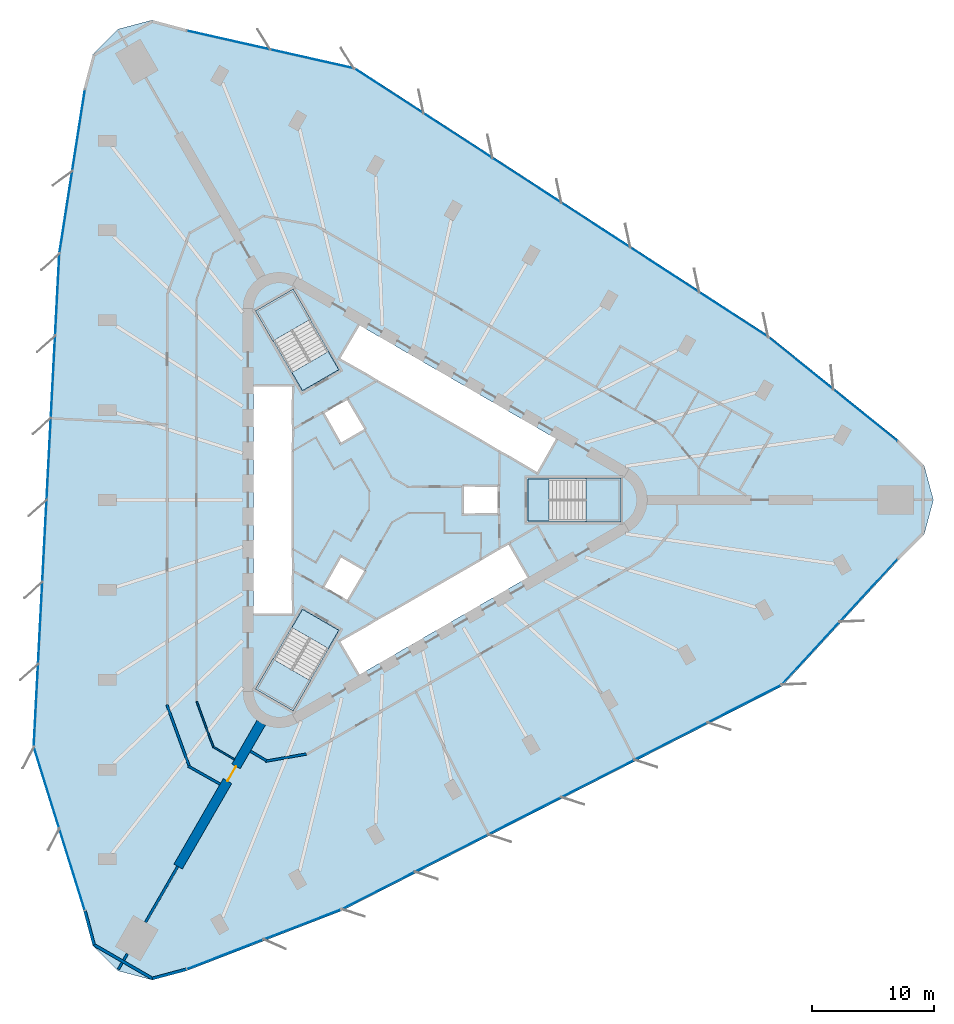
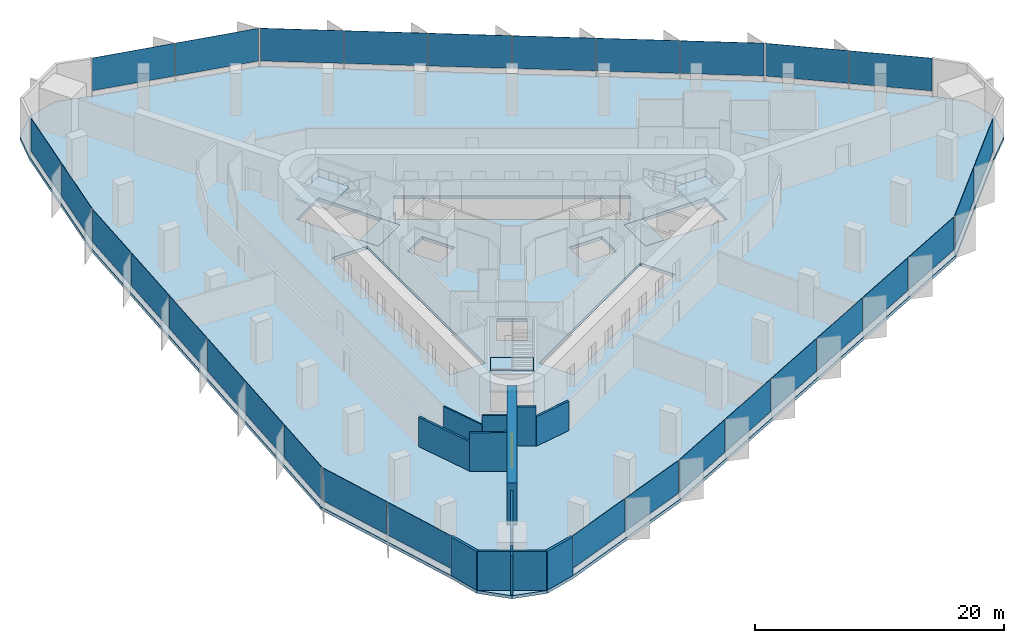
# One storey, part 8 of 14: 30 plates, 13 walls, 7 slabs, 1 door, 1 opening, 12 elements without a shape of their own.
"""IFC4 building model written with IfcOpenShell, lengths in metres."""

from ifc_helpers import new_model, si_unit, direction, frame, frame_2d, origin, origin_2d, place, context, subcontext, project, spatial, polyline, rectangle, outline, extrude, material, layer, layer_set, type_object, element, fill, aggregate, save


model = new_model("IFC4")

# Units and contexts
model_context = context("Model", 3, precision=1e-05, world=origin(), true_north=direction((0.0, 1.0)))
body_context = subcontext(model_context, "Body", "Model", "MODEL_VIEW")
ifc_project = project(units=[si_unit("LENGTHUNIT", "METRE"), si_unit("AREAUNIT", "SQUARE_METRE"), si_unit("VOLUMEUNIT", "CUBIC_METRE"), si_unit("PLANEANGLEUNIT", "RADIAN"), si_unit("MASSUNIT", "GRAM", prefix="KILO")], contexts=[model_context])

# Site, building, storey
site_placement = place(None, origin())
site = spatial("IfcSite", under=ifc_project, at=site_placement, CompositionType="ELEMENT")
building_placement = place(site_placement, origin())
building = spatial("IfcBuilding", under=site, at=building_placement, Name="Tanit Gate Tower", CompositionType="ELEMENT")
storey_placement = place(building_placement, frame((0.0, 0.0, 74.199951171875)))
storey = spatial("IfcBuildingStorey", under=building, at=storey_placement, Name="L14", CompositionType="ELEMENT", Elevation=74.199951171875)

# Slab
ifc_material_1 = material(Name="Concrete C35/45", Category="concrete")
ifc_layer_1 = layer(ifc_material_1, 0.300048828125)
ifc_layer_set_1 = layer_set([ifc_layer_1], Name="FLOOR SLAB 300 C35/45")
slab_type_1 = type_object("IfcSlabType", Name="FLOOR SLAB 300 C35/45", PredefinedType="FLOOR", material=ifc_layer_set_1)
slab_1_placement = place(storey_placement, frame((0.0, 0.0, -0.300048828125)))
element("IfcSlab", 1, at=slab_1_placement, inside=storey, type_object=slab_type_1, Name="FLOOR SLAB L14", PredefinedType="FLOOR", context=body_context, shape_type="SweptSolid", body=[
    extrude(outline(polyline([(41.88818359375, 4.897705078125), (43.958251953125, 2.82763671875), (44.716064453125, 0.0), (43.958251953125, -2.82763671875), (41.88818359375, -4.897705078125), (32.2783203125, -15.314697265625), (-3.930419921875, -33.78564453125), (-16.70263671875, -38.72509765625), (-19.5302734375, -39.48291015625), (-22.35791015625, -38.72509765625), (-24.427978515625, -36.6552734375), (-25.185791015625, -33.827392578125), (-29.40234375, -20.29638671875), (-27.294189453125, 20.29638671875), (-25.185791015625, 33.827392578125), (-24.427978515625, 36.6552734375), (-22.35791015625, 38.72509765625), (-19.5302734375, 39.48291015625), (-16.70263671875, 38.72509765625), (-2.876220703125, 35.611328125), (31.224365234375, 13.489013671875), (41.88818359375, 4.897705078125)]), holes=[polyline([(11.3701171875, 1.72998046875), (18.929931640625, 1.72998046875), (18.929931640625, -1.72998046875), (11.3701171875, -1.72998046875), (11.3701171875, 1.72998046875)]), polyline([(-4.208984375, 11.60986328125), (-2.583984375, 14.424560546875), (13.783935546875, 4.974609375), (12.158935546875, 2.159912109375), (-4.208984375, 11.60986328125)]), polyline([(-4.208984375, -11.60986328125), (9.82080078125, -3.510009765625), (11.44580078125, -6.324462890625), (-2.583984375, -14.424560546875), (-4.208984375, -11.60986328125)]), polyline([(9.0, 1.199951171875), (9.0, -1.199951171875), (6.0, -1.199951171875), (6.0, 1.199951171875), (9.0, 1.199951171875)]), polyline([(-5.539306640625, 7.194091796875), (-3.460693359375, 8.394287109375), (-1.960693359375, 5.796142578125), (-4.039306640625, 4.59619140625), (-5.539306640625, 7.194091796875)]), polyline([(-1.960693359375, -5.796142578125), (-3.460693359375, -8.394287109375), (-5.539306640625, -7.194091796875), (-4.039306640625, -4.59619140625), (-1.960693359375, -5.796142578125)]), polyline([(-10.963134765625, 15.52880859375), (-7.966796875, 17.2587890625), (-4.186767578125, 10.711669921875), (-7.18310546875, 8.981689453125), (-10.963134765625, 15.52880859375)]), polyline([(-4.186767578125, -10.711669921875), (-7.966796875, -17.2587890625), (-10.963134765625, -15.52880859375), (-7.18310546875, -8.981689453125), (-4.186767578125, -10.711669921875)]), polyline([(-11.199951171875, -9.449951171875), (-11.199951171875, 9.449951171875), (-7.949951171875, 9.449951171875), (-7.949951171875, -9.449951171875), (-11.199951171875, -9.449951171875)])]), origin(), (0.0, 0.0, 1.0), 0.300048828125),
])

# Curtain wall, plates
ifc_material_2 = material(Name="Aluminium bronze anodised and glass", Category="aluminium")
curtain_wall_type = type_object("IfcCurtainWallType", Name="Curtain wall typical low", PredefinedType="NOTDEFINED", material=ifc_material_2)
curtain_wall_1_placement = place(storey_placement, origin())
curtain_wall_1 = element("IfcCurtainWall", 2, at=curtain_wall_1_placement, inside=storey, type_object=curtain_wall_type, Name="Curtain wall L14 NE1", PredefinedType="NOTDEFINED")
ifc_material_3 = material(Name="Glass tinted", Category="glass")
ifc_layer_2 = layer(ifc_material_3, 0.031982421875)
ifc_layer_set_2 = layer_set([ifc_layer_2], Name="Glass panel 32 typical low")
plate_type = type_object("IfcPlateType", Name="Glass panel 32 typical low", PredefinedType="CURTAIN_PANEL", material=ifc_layer_set_2)
plate_1_placement = place(storey_placement, frame((39.12890625, 6.966796875, 0.60009765625), z_axis=(0.0, 0.0, 1.0), x_axis=(-0.77871831753, 0.627373717925, 0.0)))
plate_1 = element("IfcPlate", 3, at=plate_1_placement, type_object=plate_type, Name="Glass panel L14 NE1.1", PredefinedType="CURTAIN_PANEL", context=body_context, shape_type="SweptSolid", body=[
    extrude(rectangle(XDim=6.720703125, YDim=0.031982421875, at=origin_2d()), origin(), (0.0, 0.0, 1.0), 3.199951171875),
])
plate_2_placement = place(storey_placement, frame((33.8330078125, 11.2333984375, 0.60009765625), z_axis=(0.0, 0.0, 1.0), x_axis=(-0.77871831753, 0.627373717925, 0.0)))
plate_2 = element("IfcPlate", 4, at=plate_2_placement, type_object=plate_type, Name="Glass panel L14 NE1.2", PredefinedType="CURTAIN_PANEL", context=body_context, shape_type="SweptSolid", body=[
    extrude(rectangle(XDim=6.720947265625, YDim=0.031982421875, at=origin_2d()), origin(), (0.0, 0.0, 1.0), 3.199951171875),
])
aggregate(curtain_wall_1, [plate_1, plate_2])

curtain_wall_2_placement = place(storey_placement, origin())
curtain_wall_2 = element("IfcCurtainWall", 5, at=curtain_wall_2_placement, inside=storey, type_object=curtain_wall_type, Name="Curtain wall L14 NE2", PredefinedType="NOTDEFINED")
plate_3_placement = place(storey_placement, frame((28.2861328125, 15.252197265625, 0.60009765625), z_axis=(0.0, 0.0, 1.0), x_axis=(-0.838927413588, 0.544243323092, 0.0)))
plate_3 = element("IfcPlate", 6, at=plate_3_placement, type_object=plate_type, Name="Glass panel L14 NE2.1", PredefinedType="CURTAIN_PANEL", context=body_context, shape_type="SweptSolid", body=[
    extrude(rectangle(XDim=6.6767578125, YDim=0.031982421875, at=origin_2d()), origin(), (0.0, 0.0, 1.0), 3.199951171875),
])
plate_4_placement = place(storey_placement, frame((22.61767578125, 18.929443359375, 0.60009765625), z_axis=(0.0, 0.0, 1.0), x_axis=(-0.838927413588, 0.544243323092, 0.0)))
plate_4 = element("IfcPlate", 7, at=plate_4_placement, type_object=plate_type, Name="Glass panel L14 NE2.2", PredefinedType="CURTAIN_PANEL", context=body_context, shape_type="SweptSolid", body=[
    extrude(rectangle(XDim=6.6767578125, YDim=0.031982421875, at=origin_2d()), origin(), (0.0, 0.0, 1.0), 3.199951171875),
])
plate_5_placement = place(storey_placement, frame((16.949462890625, 22.606689453125, 0.60009765625), z_axis=(0.0, 0.0, 1.0), x_axis=(-0.838927413588, 0.544243323092, 0.0)))
plate_5 = element("IfcPlate", 8, at=plate_5_placement, type_object=plate_type, Name="Glass panel L14 NE2.3", PredefinedType="CURTAIN_PANEL", context=body_context, shape_type="SweptSolid", body=[
    extrude(rectangle(XDim=6.6767578125, YDim=0.031982421875, at=origin_2d()), origin(), (0.0, 0.0, 1.0), 3.199951171875),
])
plate_6_placement = place(storey_placement, frame((11.281005859375, 26.283935546875, 0.60009765625), z_axis=(0.0, 0.0, 1.0), x_axis=(-0.838927413588, 0.544243323092, 0.0)))
plate_6 = element("IfcPlate", 9, at=plate_6_placement, type_object=plate_type, Name="Glass panel L14 NE2.4", PredefinedType="CURTAIN_PANEL", context=body_context, shape_type="SweptSolid", body=[
    extrude(rectangle(XDim=6.676513671875, YDim=0.031982421875, at=origin_2d()), origin(), (0.0, 0.0, 1.0), 3.199951171875),
])
plate_7_placement = place(storey_placement, frame((5.612548828125, 29.96142578125, 0.60009765625), z_axis=(0.0, 0.0, 1.0), x_axis=(-0.838927413588, 0.544243323092, 0.0)))
plate_7 = element("IfcPlate", 10, at=plate_7_placement, type_object=plate_type, Name="Glass panel L14 NE2.5", PredefinedType="CURTAIN_PANEL", context=body_context, shape_type="SweptSolid", body=[
    extrude(rectangle(XDim=6.6767578125, YDim=0.031982421875, at=origin_2d()), origin(), (0.0, 0.0, 1.0), 3.199951171875),
])
plate_8_placement = place(storey_placement, frame((-0.0556640625, 33.638671875, 0.60009765625), z_axis=(0.0, 0.0, 1.0), x_axis=(-0.838927413588, 0.544243323092, 0.0)))
plate_8 = element("IfcPlate", 11, at=plate_8_placement, type_object=plate_type, Name="Glass panel L14 NE2.6", PredefinedType="CURTAIN_PANEL", context=body_context, shape_type="SweptSolid", body=[
    extrude(rectangle(XDim=6.6767578125, YDim=0.031982421875, at=origin_2d()), origin(), (0.0, 0.0, 1.0), 3.199951171875),
])
aggregate(curtain_wall_2, [plate_3, plate_4, plate_5, plate_6, plate_7, plate_8])

curtain_wall_3_placement = place(storey_placement, origin())
curtain_wall_3 = element("IfcCurtainWall", 12, at=curtain_wall_3_placement, inside=storey, type_object=curtain_wall_type, Name="Curtain wall L14 NE3", PredefinedType="NOTDEFINED")
plate_9_placement = place(storey_placement, frame((-6.39501953125, 36.28076171875, 0.60009765625), z_axis=(0.0, 0.0, 1.0), x_axis=(-0.975566436598, 0.219704637599, 0.0)))
plate_9 = element("IfcPlate", 13, at=plate_9_placement, type_object=plate_type, Name="Glass panel L14 NE3.1", PredefinedType="CURTAIN_PANEL", context=body_context, shape_type="SweptSolid", body=[
    extrude(rectangle(XDim=6.956787109375, YDim=0.031982421875, at=origin_2d()), origin(), (0.0, 0.0, 1.0), 3.199951171875),
])
plate_10_placement = place(storey_placement, frame((-13.259765625, 37.826904296875, 0.60009765625), z_axis=(0.0, 0.0, 1.0), x_axis=(-0.975566436598, 0.219704637599, 0.0)))
plate_10 = element("IfcPlate", 14, at=plate_10_placement, type_object=plate_type, Name="Glass panel L14 NE3.2", PredefinedType="CURTAIN_PANEL", context=body_context, shape_type="SweptSolid", body=[
    extrude(rectangle(XDim=6.956787109375, YDim=0.031982421875, at=origin_2d()), origin(), (0.0, 0.0, 1.0), 3.199951171875),
])
aggregate(curtain_wall_3, [plate_9, plate_10])

curtain_wall_4_placement = place(storey_placement, origin())
curtain_wall_4 = element("IfcCurtainWall", 15, at=curtain_wall_4_placement, inside=storey, type_object=curtain_wall_type, Name="Curtain wall L14 W1", PredefinedType="NOTDEFINED")
plate_11_placement = place(storey_placement, frame((-25.597900390625, 30.4033203125, 0.60009765625), z_axis=(0.0, 0.0, 1.0), x_axis=(-0.153962418624, -0.988076704336, 0.0)))
plate_11 = element("IfcPlate", 16, at=plate_11_placement, type_object=plate_type, Name="Glass panel L14 W1.1", PredefinedType="CURTAIN_PANEL", context=body_context, shape_type="SweptSolid", body=[
    extrude(rectangle(XDim=6.720703125, YDim=0.031982421875, at=origin_2d()), origin(), (0.0, 0.0, 1.0), 3.199951171875),
])
plate_12_placement = place(storey_placement, frame((-26.644775390625, 23.68359375, 0.60009765625), z_axis=(0.0, 0.0, 1.0), x_axis=(-0.153962418624, -0.988076704336, 0.0)))
plate_12 = element("IfcPlate", 17, at=plate_12_placement, type_object=plate_type, Name="Glass panel L14 W1.2", PredefinedType="CURTAIN_PANEL", context=body_context, shape_type="SweptSolid", body=[
    extrude(rectangle(XDim=6.720947265625, YDim=0.031982421875, at=origin_2d()), origin(), (0.0, 0.0, 1.0), 3.199951171875),
])
aggregate(curtain_wall_4, [plate_11, plate_12])

curtain_wall_5_placement = place(storey_placement, origin())
curtain_wall_5 = element("IfcCurtainWall", 18, at=curtain_wall_5_placement, inside=storey, type_object=curtain_wall_type, Name="Curtain wall L14 W2", PredefinedType="NOTDEFINED")
plate_13_placement = place(storey_placement, frame((-27.351806640625, 16.870361328125, 0.60009765625), z_axis=(0.0, 0.0, 1.0), x_axis=(-0.051864836844, -0.998654113645, 0.0)))
plate_13 = element("IfcPlate", 19, at=plate_13_placement, type_object=plate_type, Name="Glass panel L14 W2.1", PredefinedType="CURTAIN_PANEL", context=body_context, shape_type="SweptSolid", body=[
    extrude(rectangle(XDim=6.6767578125, YDim=0.031982421875, at=origin_2d()), origin(), (0.0, 0.0, 1.0), 3.199951171875),
])
plate_14_placement = place(storey_placement, frame((-27.702392578125, 10.122802734375, 0.60009765625), z_axis=(0.0, 0.0, 1.0), x_axis=(-0.051864836844, -0.998654113645, 0.0)))
plate_14 = element("IfcPlate", 20, at=plate_14_placement, type_object=plate_type, Name="Glass panel L14 W2.2", PredefinedType="CURTAIN_PANEL", context=body_context, shape_type="SweptSolid", body=[
    extrude(rectangle(XDim=6.6767578125, YDim=0.031982421875, at=origin_2d()), origin(), (0.0, 0.0, 1.0), 3.199951171875),
])
plate_15_placement = place(storey_placement, frame((-28.052734375, 3.375244140625, 0.60009765625), z_axis=(0.0, 0.0, 1.0), x_axis=(-0.051864836844, -0.998654113645, 0.0)))
plate_15 = element("IfcPlate", 21, at=plate_15_placement, type_object=plate_type, Name="Glass panel L14 W2.3", PredefinedType="CURTAIN_PANEL", context=body_context, shape_type="SweptSolid", body=[
    extrude(rectangle(XDim=6.6767578125, YDim=0.031982421875, at=origin_2d()), origin(), (0.0, 0.0, 1.0), 3.199951171875),
])
plate_16_placement = place(storey_placement, frame((-28.403076171875, -3.372314453125, 0.60009765625), z_axis=(0.0, 0.0, 1.0), x_axis=(-0.051864836844, -0.998654113645, 0.0)))
plate_16 = element("IfcPlate", 22, at=plate_16_placement, type_object=plate_type, Name="Glass panel L14 W2.4", PredefinedType="CURTAIN_PANEL", context=body_context, shape_type="SweptSolid", body=[
    extrude(rectangle(XDim=6.676513671875, YDim=0.031982421875, at=origin_2d()), origin(), (0.0, 0.0, 1.0), 3.199951171875),
])
plate_17_placement = place(storey_placement, frame((-28.753662109375, -10.119873046875, 0.60009765625), z_axis=(0.0, 0.0, 1.0), x_axis=(-0.051864836844, -0.998654113645, 0.0)))
plate_17 = element("IfcPlate", 23, at=plate_17_placement, type_object=plate_type, Name="Glass panel L14 W2.5", PredefinedType="CURTAIN_PANEL", context=body_context, shape_type="SweptSolid", body=[
    extrude(rectangle(XDim=6.6767578125, YDim=0.031982421875, at=origin_2d()), origin(), (0.0, 0.0, 1.0), 3.199951171875),
])
plate_18_placement = place(storey_placement, frame((-29.10400390625, -16.867431640625, 0.60009765625), z_axis=(0.0, 0.0, 1.0), x_axis=(-0.051864836844, -0.998654113645, 0.0)))
plate_18 = element("IfcPlate", 24, at=plate_18_placement, type_object=plate_type, Name="Glass panel L14 W2.6", PredefinedType="CURTAIN_PANEL", context=body_context, shape_type="SweptSolid", body=[
    extrude(rectangle(XDim=6.6767578125, YDim=0.031982421875, at=origin_2d()), origin(), (0.0, 0.0, 1.0), 3.199951171875),
])
aggregate(curtain_wall_5, [plate_13, plate_14, plate_15, plate_16, plate_17, plate_18])

curtain_wall_6_placement = place(storey_placement, origin())
curtain_wall_6 = element("IfcCurtainWall", 25, at=curtain_wall_6_placement, inside=storey, type_object=curtain_wall_type, Name="Curtain wall L14 W3", PredefinedType="NOTDEFINED")
plate_19_placement = place(storey_placement, frame((-28.22265625, -23.6787109375, 0.60009765625), z_axis=(0.0, 0.0, 1.0), x_axis=(0.297513420809, -0.954717635973, 0.0)))
plate_19 = element("IfcPlate", 26, at=plate_19_placement, type_object=plate_type, Name="Glass panel L14 W3.1", PredefinedType="CURTAIN_PANEL", context=body_context, shape_type="SweptSolid", body=[
    extrude(rectangle(XDim=6.956787109375, YDim=0.031982421875, at=origin_2d()), origin(), (0.0, 0.0, 1.0), 3.199951171875),
])
plate_20_placement = place(storey_placement, frame((-26.129150390625, -30.396728515625, 0.60009765625), z_axis=(0.0, 0.0, 1.0), x_axis=(0.297513420809, -0.954717635973, 0.0)))
plate_20 = element("IfcPlate", 27, at=plate_20_placement, type_object=plate_type, Name="Glass panel L14 W3.2", PredefinedType="CURTAIN_PANEL", context=body_context, shape_type="SweptSolid", body=[
    extrude(rectangle(XDim=6.956787109375, YDim=0.031982421875, at=origin_2d()), origin(), (0.0, 0.0, 1.0), 3.199951171875),
])
aggregate(curtain_wall_6, [plate_19, plate_20])

curtain_wall_7_placement = place(storey_placement, origin())
curtain_wall_7 = element("IfcCurtainWall", 28, at=curtain_wall_7_placement, inside=storey, type_object=curtain_wall_type, Name="Curtain wall L14 SE1", PredefinedType="NOTDEFINED")
plate_21_placement = place(storey_placement, frame((-13.53125, -37.369873046875, 0.60009765625), z_axis=(0.0, 0.0, 1.0), x_axis=(0.932680736155, 0.360702986411, 0.0)))
plate_21 = element("IfcPlate", 29, at=plate_21_placement, type_object=plate_type, Name="Glass panel L14 SE1.1", PredefinedType="CURTAIN_PANEL", context=body_context, shape_type="SweptSolid", body=[
    extrude(rectangle(XDim=6.720703125, YDim=0.031982421875, at=origin_2d()), origin(), (0.0, 0.0, 1.0), 3.199951171875),
])
plate_22_placement = place(storey_placement, frame((-7.188232421875, -34.9169921875, 0.60009765625), z_axis=(0.0, 0.0, 1.0), x_axis=(0.932680736155, 0.360702986411, 0.0)))
plate_22 = element("IfcPlate", 30, at=plate_22_placement, type_object=plate_type, Name="Glass panel L14 SE1.2", PredefinedType="CURTAIN_PANEL", context=body_context, shape_type="SweptSolid", body=[
    extrude(rectangle(XDim=6.720947265625, YDim=0.031982421875, at=origin_2d()), origin(), (0.0, 0.0, 1.0), 3.199951171875),
])
aggregate(curtain_wall_7, [plate_21, plate_22])

curtain_wall_8_placement = place(storey_placement, origin())
curtain_wall_8 = element("IfcCurtainWall", 31, at=curtain_wall_8_placement, inside=storey, type_object=curtain_wall_type, Name="Curtain wall L14 SE2", PredefinedType="NOTDEFINED")
plate_23_placement = place(storey_placement, frame((-0.934326171875, -32.12255859375, 0.60009765625), z_axis=(0.0, 0.0, 1.0), x_axis=(0.890792250432, 0.454410790552, 0.0)))
plate_23 = element("IfcPlate", 32, at=plate_23_placement, type_object=plate_type, Name="Glass panel L14 SE2.1", PredefinedType="CURTAIN_PANEL", context=body_context, shape_type="SweptSolid", body=[
    extrude(rectangle(XDim=6.6767578125, YDim=0.031982421875, at=origin_2d()), origin(), (0.0, 0.0, 1.0), 3.199951171875),
])
plate_24_placement = place(storey_placement, frame((5.08447265625, -29.05224609375, 0.60009765625), z_axis=(0.0, 0.0, 1.0), x_axis=(0.890792250432, 0.454410790552, 0.0)))
plate_24 = element("IfcPlate", 33, at=plate_24_placement, type_object=plate_type, Name="Glass panel L14 SE2.2", PredefinedType="CURTAIN_PANEL", context=body_context, shape_type="SweptSolid", body=[
    extrude(rectangle(XDim=6.6767578125, YDim=0.031982421875, at=origin_2d()), origin(), (0.0, 0.0, 1.0), 3.199951171875),
])
plate_25_placement = place(storey_placement, frame((11.103271484375, -25.98193359375, 0.60009765625), z_axis=(0.0, 0.0, 1.0), x_axis=(0.890792250432, 0.454410790552, 0.0)))
plate_25 = element("IfcPlate", 34, at=plate_25_placement, type_object=plate_type, Name="Glass panel L14 SE2.3", PredefinedType="CURTAIN_PANEL", context=body_context, shape_type="SweptSolid", body=[
    extrude(rectangle(XDim=6.6767578125, YDim=0.031982421875, at=origin_2d()), origin(), (0.0, 0.0, 1.0), 3.199951171875),
])
plate_26_placement = place(storey_placement, frame((17.1220703125, -22.91162109375, 0.60009765625), z_axis=(0.0, 0.0, 1.0), x_axis=(0.890792250432, 0.454410790552, 0.0)))
plate_26 = element("IfcPlate", 35, at=plate_26_placement, type_object=plate_type, Name="Glass panel L14 SE2.4", PredefinedType="CURTAIN_PANEL", context=body_context, shape_type="SweptSolid", body=[
    extrude(rectangle(XDim=6.676513671875, YDim=0.031982421875, at=origin_2d()), origin(), (0.0, 0.0, 1.0), 3.199951171875),
])
plate_27_placement = place(storey_placement, frame((23.140869140625, -19.84130859375, 0.60009765625), z_axis=(0.0, 0.0, 1.0), x_axis=(0.890792250432, 0.454410790552, 0.0)))
plate_27 = element("IfcPlate", 36, at=plate_27_placement, type_object=plate_type, Name="Glass panel L14 SE2.5", PredefinedType="CURTAIN_PANEL", context=body_context, shape_type="SweptSolid", body=[
    extrude(rectangle(XDim=6.6767578125, YDim=0.031982421875, at=origin_2d()), origin(), (0.0, 0.0, 1.0), 3.199951171875),
])
plate_28_placement = place(storey_placement, frame((29.15966796875, -16.77099609375, 0.60009765625), z_axis=(0.0, 0.0, 1.0), x_axis=(0.890792250432, 0.454410790552, 0.0)))
plate_28 = element("IfcPlate", 37, at=plate_28_placement, type_object=plate_type, Name="Glass panel L14 SE2.6", PredefinedType="CURTAIN_PANEL", context=body_context, shape_type="SweptSolid", body=[
    extrude(rectangle(XDim=6.6767578125, YDim=0.031982421875, at=origin_2d()), origin(), (0.0, 0.0, 1.0), 3.199951171875),
])
aggregate(curtain_wall_8, [plate_23, plate_24, plate_25, plate_26, plate_27, plate_28])

curtain_wall_9_placement = place(storey_placement, origin())
curtain_wall_9 = element("IfcCurtainWall", 38, at=curtain_wall_9_placement, inside=storey, type_object=curtain_wall_type, Name="Curtain wall L14 SE3", PredefinedType="NOTDEFINED")
plate_29_placement = place(storey_placement, frame((34.61767578125, -12.602294921875, 0.60009765625), z_axis=(0.0, 0.0, 1.0), x_axis=(0.678053015789, 0.735012998374, 0.0)))
plate_29 = element("IfcPlate", 39, at=plate_29_placement, type_object=plate_type, Name="Glass panel L14 SE3.1", PredefinedType="CURTAIN_PANEL", context=body_context, shape_type="SweptSolid", body=[
    extrude(rectangle(XDim=6.956787109375, YDim=0.031982421875, at=origin_2d()), origin(), (0.0, 0.0, 1.0), 3.199951171875),
])
plate_30_placement = place(storey_placement, frame((39.388916015625, -7.429931640625, 0.60009765625), z_axis=(0.0, 0.0, 1.0), x_axis=(0.678053015789, 0.735012998374, 0.0)))
plate_30 = element("IfcPlate", 40, at=plate_30_placement, type_object=plate_type, Name="Glass panel L14 SE3.2", PredefinedType="CURTAIN_PANEL", context=body_context, shape_type="SweptSolid", body=[
    extrude(rectangle(XDim=6.956787109375, YDim=0.031982421875, at=origin_2d()), origin(), (0.0, 0.0, 1.0), 3.199951171875),
])
aggregate(curtain_wall_9, [plate_29, plate_30])

# Stair, slab
ifc_material_4 = material(Name="Concrete C40/50", Category="concrete")
stair_type = type_object("IfcStairType", Name="INT-STAIR-EXIT", PredefinedType="HALF_TURN_STAIR", material=ifc_material_4)
stair_1_placement = place(storey_placement, origin())
stair_1 = element("IfcStair", 41, at=stair_1_placement, inside=storey, type_object=stair_type, Name="L14 STAIR S1", PredefinedType="HALF_TURN_STAIR")
ifc_material_5 = material(Name="Concrete C40/50", Category="concrete")
ifc_layer_3 = layer(ifc_material_5, 0.199951171875)
ifc_layer_set_3 = layer_set([ifc_layer_3], Name="INT-STAIR-LANDING")
slab_type_2 = type_object("IfcSlabType", Name="INT-STAIR-LANDING", PredefinedType="LANDING", material=ifc_layer_set_3)
slab_2_placement = place(storey_placement, frame((0.0, 0.0, 1.85009765625)))
slab_2 = element("IfcSlab", 42, at=slab_2_placement, type_object=slab_type_2, Name="S1 landing 1", PredefinedType="LANDING", context=body_context, shape_type="SweptSolid", body=[
    extrude(outline(polyline([(16.135986328125, -1.800048828125), (19.0, -1.800048828125), (19.0, 1.800048828125), (16.135986328125, 1.800048828125), (16.135986328125, -1.800048828125)])), origin(), (0.0, 0.0, 1.0), 0.199951171875),
])
aggregate(stair_1, [slab_2])

# Slab
slab_3_placement = place(storey_placement, frame((0.0, 0.0, -0.199951171875)))
element("IfcSlab", 43, at=slab_3_placement, inside=storey, type_object=slab_type_2, Name="S1 floor landing", PredefinedType="LANDING", context=body_context, shape_type="SweptSolid", body=[
    extrude(outline(polyline([(11.3798828125, -1.719970703125), (13.10498046875, -1.719970703125), (13.10498046875, 1.719970703125), (11.3798828125, 1.719970703125), (11.3798828125, -1.719970703125)])), origin(), (0.0, 0.0, 1.0), 0.199951171875),
])

# Stair, slab
stair_2_placement = place(storey_placement, origin())
stair_2 = element("IfcStair", 44, at=stair_2_placement, inside=storey, type_object=stair_type, Name="L14 STAIR S2", PredefinedType="HALF_TURN_STAIR")
slab_4_placement = place(storey_placement, frame((0.0, 0.0, 1.85009765625)))
slab_4 = element("IfcSlab", 45, at=slab_4_placement, type_object=slab_type_2, Name="S2 landing 1", PredefinedType="LANDING", context=body_context, shape_type="SweptSolid", body=[
    extrude(outline(polyline([(-6.5078125, 14.871826171875), (-7.941162109375, 17.3544921875), (-11.058837890625, 15.554443359375), (-9.62548828125, 13.07177734375), (-6.5078125, 14.871826171875)])), origin(), (0.0, 0.0, 1.0), 0.199951171875),
])
aggregate(stair_2, [slab_4])

# Slab
slab_5_placement = place(storey_placement, frame((0.0, 0.0, -0.199951171875)))
element("IfcSlab", 46, at=slab_5_placement, inside=storey, type_object=slab_type_2, Name="S2 floor landing", PredefinedType="LANDING", context=body_context, shape_type="SweptSolid", body=[
    extrude(outline(polyline([(-4.200439453125, 10.71533203125), (-5.0625, 12.20849609375), (-8.04150390625, 10.48828125), (-7.179443359375, 8.995361328125), (-4.200439453125, 10.71533203125)])), origin(), (0.0, 0.0, 1.0), 0.199951171875),
])

# Stair, slab
stair_3_placement = place(storey_placement, origin())
stair_3 = element("IfcStair", 47, at=stair_3_placement, inside=storey, type_object=stair_type, Name="L14 STAIR S3", PredefinedType="HALF_TURN_STAIR")
slab_6_placement = place(storey_placement, frame((0.0, 0.0, 1.85009765625)))
slab_6 = element("IfcSlab", 48, at=slab_6_placement, type_object=slab_type_2, Name="S3 landing 1", PredefinedType="LANDING", context=body_context, shape_type="SweptSolid", body=[
    extrude(outline(polyline([(-9.626953125, -13.07421875), (-11.058837890625, -15.554443359375), (-7.941162109375, -17.3544921875), (-6.509033203125, -14.874267578125), (-9.626953125, -13.07421875)])), origin(), (0.0, 0.0, 1.0), 0.199951171875),
])
aggregate(stair_3, [slab_6])

# Slab
slab_7_placement = place(storey_placement, frame((0.0, 0.0, -0.199951171875)))
element("IfcSlab", 49, at=slab_7_placement, inside=storey, type_object=slab_type_2, Name="S3 floor landing", PredefinedType="LANDING", context=body_context, shape_type="SweptSolid", body=[
    extrude(outline(polyline([(-7.179443359375, -8.995361328125), (-8.0419921875, -10.4892578125), (-5.06298828125, -12.209228515625), (-4.200439453125, -10.71533203125), (-7.179443359375, -8.995361328125)])), origin(), (0.0, 0.0, 1.0), 0.199951171875),
])

# Wall, opening, door
ifc_material_6 = material(Name="Concrete C60/75", Category="concrete")
ifc_layer_4 = layer(ifc_material_6, 0.800048828125)
ifc_layer_set_4 = layer_set([ifc_layer_4], Name="BUTTRESS FIN 800 C60/75")
wall_type_1 = type_object("IfcWallType", Name="BUTTRESS FIN 800 C60/75", PredefinedType="SHEAR", material=ifc_layer_set_4)
wall_1_placement = place(storey_placement, frame((-10.574951171875, -18.31640625, 0.0), z_axis=(0.0, 0.0, 1.0), x_axis=(-0.499998162141, -0.86602646487, 0.0)))
wall_1 = element("IfcWall", 50, at=wall_1_placement, inside=storey, type_object=wall_type_1, Name="BUTTRESS FIN", PredefinedType="SHEAR", context=body_context, shape_type="SweptSolid", body=[
    extrude(rectangle(XDim=13.66943359375, YDim=0.800048828125, at=frame_2d((6.834716796875, 0.0))), origin(), (0.0, 0.0, 1.0), 4.10009765625),
])
opening_placement = place(wall_1_placement, frame((4.14990234375, 0.0, 0.0)))
opening = element("IfcOpeningElement", 51, at=opening_placement, cuts=wall_1, Name="Opening P14-S02-F-SW-1", PredefinedType="OPENING", context=body_context, shape_type="SweptSolid", body=[
    extrude(rectangle(XDim=1.39990234375, YDim=2.39990234375, at=frame_2d((0.699951171875, 1.199951171875))), frame((0.0, 0.41015625, 0.0), z_axis=(0.0, -1.0, 0.0), x_axis=(1.0, 0.0, 0.0)), (0.0, 0.0, 1.0), 0.820068359375),
])
ifc_material_7 = material(Name="Timber door leaf", Category="wood")
door_type = type_object("IfcDoorType", Name="INT-DOOR-FIN-PAIR-1400", OperationType="NOTDEFINED", PredefinedType="NOTDEFINED", material=ifc_material_7)
door_placement = place(opening_placement, origin())
door = element("IfcDoor", 52, at=door_placement, inside=storey, type_object=door_type, Name="Door P14-S02-F-SW-1", OperationType="DOUBLE_DOOR_SINGLE_SWING", OverallHeight=2.39990234375, OverallWidth=1.39990234375, PredefinedType="NOTDEFINED", context=body_context, shape_type="SweptSolid", body=[
    extrude(rectangle(XDim=1.39990234375, YDim=2.39990234375, at=frame_2d((0.699951171875, 1.199951171875))), frame((0.0, 0.02490234375, 0.0), z_axis=(0.0, -1.0, 0.0), x_axis=(1.0, 0.0, 0.0)), (0.0, 0.0, 1.0), 0.050048828125),
])
fill(opening, door)

# Walls
ifc_material_8 = material(Name="Concrete C30/37 with bronze anodised aluminium cladding", Category="concrete")
ifc_layer_5 = layer(ifc_material_8, 0.239990234375)
ifc_layer_set_5 = layer_set([ifc_layer_5], Name="Facade wall bronze clad 240")
wall_type_2 = type_object("IfcWallType", Name="Facade wall bronze clad 240", PredefinedType="SOLIDWALL", material=ifc_layer_set_5)
wall_2_placement = place(storey_placement, frame((-25.0703125, -33.794189453125, 0.0), z_axis=(0.0, 0.0, 1.0), x_axis=(0.258837161991, -0.965920971701, 0.0)))
element("IfcWall", 53, at=wall_2_placement, inside=storey, type_object=wall_type_2, Name="Bronze-clad facade wall L14 SW.arc1", PredefinedType="SOLIDWALL", context=body_context, shape_type="SweptSolid", body=[
    extrude(rectangle(XDim=2.8974609375, YDim=0.239990234375, at=frame_2d((1.44873046875, 0.0))), origin(), (0.0, 0.0, 1.0), 3.800048828125),
])
wall_3_placement = place(storey_placement, frame((-24.3203125, -36.593017578125, 0.0), z_axis=(0.0, 0.0, 1.0), x_axis=(0.866017993231, -0.500012835235, 0.0)))
element("IfcWall", 54, at=wall_3_placement, inside=storey, type_object=wall_type_2, Name="Bronze-clad facade wall L14 SW.arc2", PredefinedType="SOLIDWALL", context=body_context, shape_type="SweptSolid", body=[
    extrude(rectangle(XDim=5.531005859375, YDim=0.239990234375, at=frame_2d((2.765625, 0.0))), origin(), (0.0, 0.0, 1.0), 3.800048828125),
])
wall_4_placement = place(storey_placement, frame((-19.5302734375, -39.358642578125, 0.0), z_axis=(0.0, 0.0, 1.0), x_axis=(0.965912964575, 0.258867040904, 0.0)))
element("IfcWall", 55, at=wall_4_placement, inside=storey, type_object=wall_type_2, Name="Bronze-clad facade wall L14 SW.arc3", PredefinedType="SOLIDWALL", context=body_context, shape_type="SweptSolid", body=[
    extrude(rectangle(XDim=2.888671875, YDim=0.239990234375, at=frame_2d((1.4443359375, 0.0))), origin(), (0.0, 0.0, 1.0), 3.800048828125),
])
ifc_material_9 = material(Name="Fire-rated gypsum board partition")
ifc_layer_6 = layer(ifc_material_9, 0.199951171875)
ifc_layer_set_6 = layer_set([ifc_layer_6], Name="INT-WALL-COMPARTMENT")
wall_type_3 = type_object("IfcWallType", Name="INT-WALL-COMPARTMENT", PredefinedType="PARTITIONING", material=ifc_layer_set_6)
wall_5_placement = place(storey_placement, frame((-16.576416015625, -21.89208984375, 0.0), z_axis=(0.0, 0.0, 1.0), x_axis=(0.870559817111, -0.492062602553, 0.0)))
element("IfcWall", 56, at=wall_5_placement, inside=storey, type_object=wall_type_3, Name="Wall Compartment W088", PredefinedType="PARTITIONING", context=body_context, shape_type="SweptSolid", body=[
    extrude(rectangle(XDim=3.009765625, YDim=0.199951171875, at=frame_2d((1.5048828125, 0.0))), origin(), (0.0, 0.0, 1.0), 3.800048828125),
])
wall_6_placement = place(storey_placement, frame((-18.334228515625, -16.84033203125, 0.0), z_axis=(0.0, 0.0, 1.0), x_axis=(0.342015877493, -0.939694173411, 0.0)))
element("IfcWall", 57, at=wall_6_placement, inside=storey, type_object=wall_type_3, Name="Wall Compartment W089", PredefinedType="PARTITIONING", context=body_context, shape_type="SweptSolid", body=[
    extrude(rectangle(XDim=5.388671875, YDim=0.199951171875, at=frame_2d((2.6943359375, 0.0))), origin(), (0.0, 0.0, 1.0), 2.880126953125),
])
wall_7_placement = place(storey_placement, frame((-10.22021484375, -21.489501953125, 0.0), z_axis=(0.0, 0.0, 1.0), x_axis=(0.984805188344, 0.173662721995, 0.0)))
element("IfcWall", 58, at=wall_7_placement, inside=storey, type_object=wall_type_3, Name="Wall Compartment W107", PredefinedType="PARTITIONING", context=body_context, shape_type="SweptSolid", body=[
    extrude(rectangle(XDim=3.40771484375, YDim=0.199951171875, at=frame_2d((1.703857421875, 0.0))), origin(), (0.0, 0.0, 1.0), 2.880126953125),
])
wall_8_placement = place(storey_placement, frame((-11.46484375, -20.657470703125, 0.0), z_axis=(0.0, 0.0, 1.0), x_axis=(0.858376755127, -0.513019830276, 0.0)))
element("IfcWall", 59, at=wall_8_placement, inside=storey, type_object=wall_type_3, Name="Wall Compartment W108", PredefinedType="PARTITIONING", context=body_context, shape_type="SweptSolid", body=[
    extrude(rectangle(XDim=1.533203125, YDim=0.199951171875, at=frame_2d((0.7666015625, 0.0))), origin(), (0.0, 0.0, 1.0), 3.800048828125),
])
wall_9_placement = place(storey_placement, frame((-22.31787109375, -38.595703125, 0.0), z_axis=(0.0, 0.0, 1.0), x_axis=(0.500078582497, 0.865980029404, 0.0)))
element("IfcWall", 60, at=wall_9_placement, inside=storey, type_object=wall_type_3, Name="Wall Compartment W110", PredefinedType="PARTITIONING", context=body_context, shape_type="SweptSolid", body=[
    extrude(rectangle(XDim=0.61328125, YDim=0.199951171875, at=frame_2d((0.306640625, 0.0))), origin(), (0.0, 0.0, 1.0), 3.800048828125),
])
wall_10_placement = place(storey_placement, frame((-21.891357421875, -37.85693359375, 0.0), z_axis=(0.0, 0.0, 1.0), x_axis=(0.49994015576, 0.866059952115, 0.0)))
element("IfcWall", 61, at=wall_10_placement, inside=storey, type_object=wall_type_3, Name="Wall Compartment W110x1", PredefinedType="PARTITIONING", context=body_context, shape_type="SweptSolid", body=[
    extrude(rectangle(XDim=0.61474609375, YDim=0.199951171875, at=frame_2d((0.307373046875, 0.0))), origin(), (0.0, 0.0, 1.0), 3.800048828125),
])
wall_11_placement = place(storey_placement, frame((-20.083984375, -34.7265625, 0.0), z_axis=(0.0, 0.0, 1.0), x_axis=(0.499991120112, 0.86603053053, 0.0)))
element("IfcWall", 62, at=wall_11_placement, inside=storey, type_object=wall_type_3, Name="Wall Compartment W111", PredefinedType="PARTITIONING", context=body_context, shape_type="SweptSolid", body=[
    extrude(rectangle(XDim=5.29638671875, YDim=0.199951171875, at=frame_2d((2.648193359375, 0.0))), origin(), (0.0, 0.0, 1.0), 3.3701171875),
])
ifc_material_10 = material(Name="Gypsum board partition")
ifc_layer_7 = layer(ifc_material_10, 0.1201171875)
ifc_layer_set_7 = layer_set([ifc_layer_7], Name="INT-WALL-PARTITION")
wall_type_4 = type_object("IfcWallType", Name="INT-WALL-PARTITION", PredefinedType="PARTITIONING", material=ifc_layer_set_7)
wall_12_placement = place(storey_placement, frame((-15.87939453125, -16.5673828125, 0.0), z_axis=(0.0, 0.0, 1.0), x_axis=(0.341999322503, -0.939700198685, 0.0)))
element("IfcWall", 63, at=wall_12_placement, inside=storey, type_object=wall_type_4, Name="Wall Partition W086", PredefinedType="PARTITIONING", context=body_context, shape_type="SweptSolid", body=[
    extrude(rectangle(XDim=4.053955078125, YDim=0.1201171875, at=frame_2d((2.02685546875, 0.0))), origin(), (0.0, 0.0, 1.0), 2.880126953125),
])
wall_13_placement = place(storey_placement, frame((-14.494140625, -20.322021484375, 0.0), z_axis=(0.0, 0.0, 1.0), x_axis=(0.859745408261, -0.510722853389, 0.0)))
element("IfcWall", 64, at=wall_13_placement, inside=storey, type_object=wall_type_4, Name="Wall Partition W087", PredefinedType="PARTITIONING", context=body_context, shape_type="SweptSolid", body=[
    extrude(rectangle(XDim=1.991455078125, YDim=0.1201171875, at=frame_2d((0.99560546875, 0.0))), origin(), (0.0, 0.0, 1.0), 3.800048828125),
])

save(model, "model.ifc")
